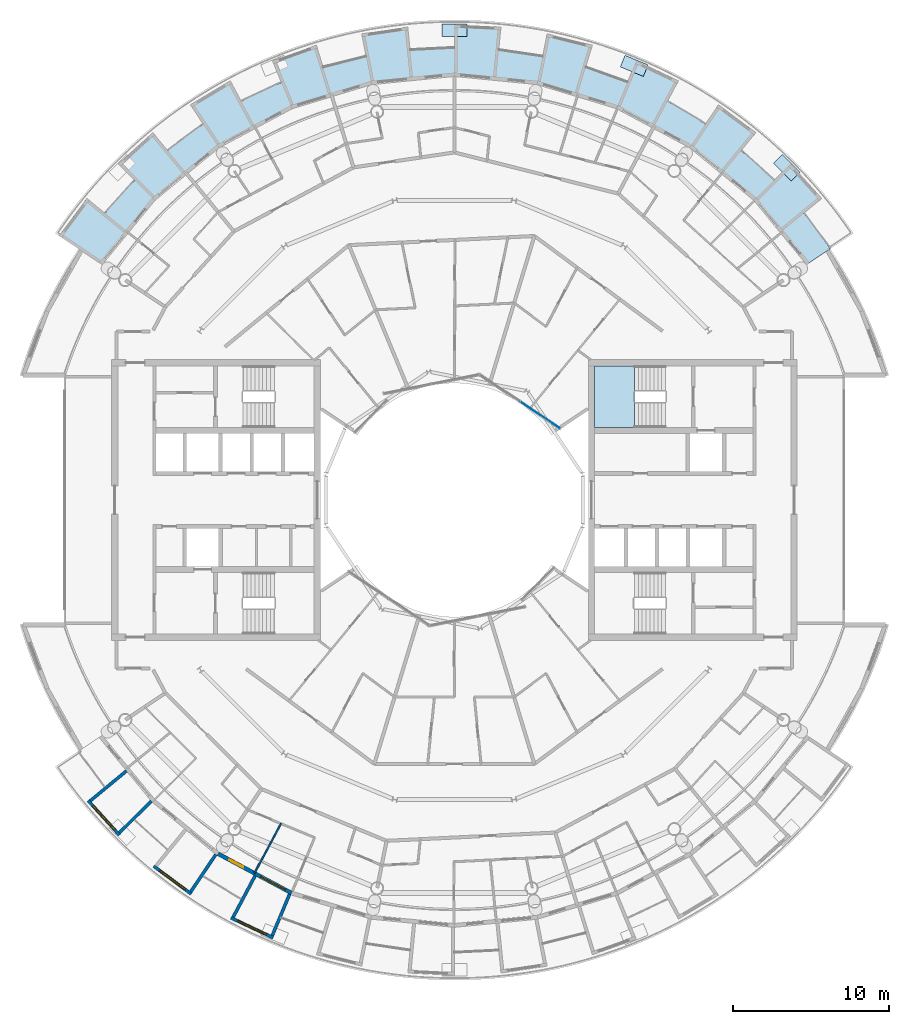
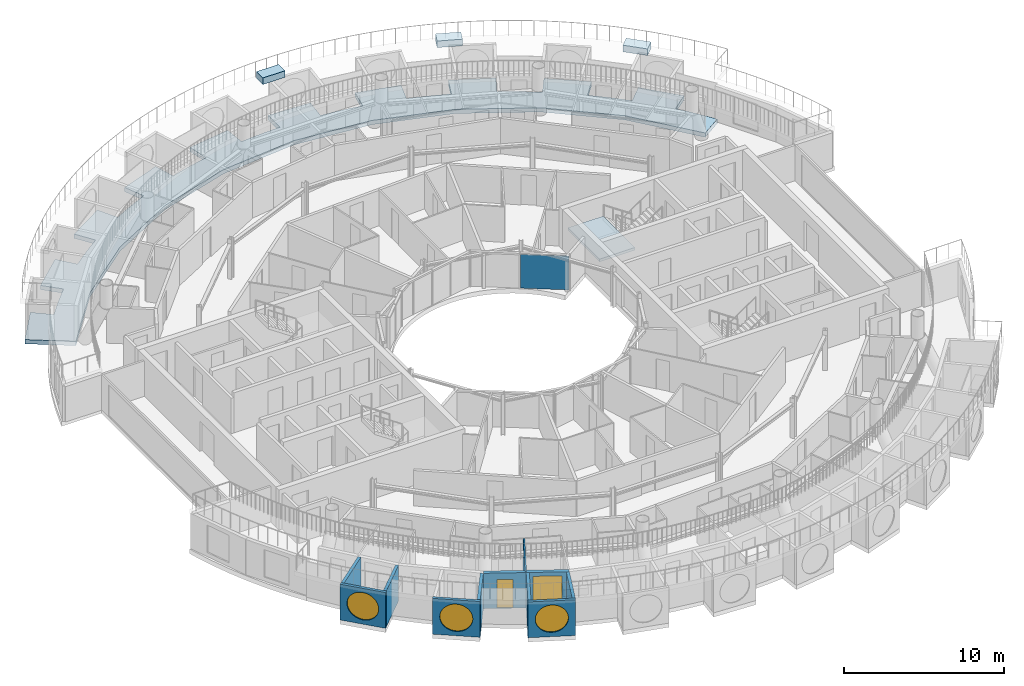
# One storey, part 13 of 29: 10 walls, 5 slabs, 4 windows, 1 door, 1 plate, 5 openings, 2 elements without a shape of their own.
"""IFC4 building model written with IfcOpenShell, lengths in metres."""

from ifc_helpers import new_model, si_unit, direction, frame, frame_2d, origin, origin_2d, place, context, subcontext, project, spatial, polyline, rectangle, circle, outline, extrude, material, layer, layer_set, type_object, element, fill, aggregate, save


model = new_model("IFC4")

# Units and contexts
model_context = context("Model", 3, precision=1e-05, world=origin(), true_north=direction((0.0, 1.0)))
body_context = subcontext(model_context, "Body", "Model", "MODEL_VIEW")
ifc_project = project(units=[si_unit("LENGTHUNIT", "METRE"), si_unit("AREAUNIT", "SQUARE_METRE"), si_unit("VOLUMEUNIT", "CUBIC_METRE"), si_unit("PLANEANGLEUNIT", "RADIAN"), si_unit("MASSUNIT", "GRAM", prefix="KILO")], contexts=[model_context])

# Site, building, storey
site_placement = place(None, origin())
site = spatial("IfcSite", under=ifc_project, at=site_placement, CompositionType="ELEMENT")
building_placement = place(site_placement, origin())
building = spatial("IfcBuilding", under=site, at=building_placement, Name="Maasbend Ring Residences", CompositionType="ELEMENT")
storey_placement = place(building_placement, frame((0.0, 0.0, 234.050048828125)))
storey = spatial("IfcBuildingStorey", under=building, at=storey_placement, Name="L67", CompositionType="ELEMENT", Elevation=234.050048828125)

# Stair, slab
ifc_material_1 = material(Name="Concrete C40/50", Category="concrete")
stair_type = type_object("IfcStairType", Name="CORE STAIR 18 RISERS", PredefinedType="HALF_TURN_STAIR", material=ifc_material_1)
stair_placement = place(storey_placement, origin())
stair = element("IfcStair", 1, at=stair_placement, inside=storey, type_object=stair_type, Name="L67 Exit stair ST-E1", PredefinedType="HALF_TURN_STAIR")
ifc_material_2 = material(Name="Concrete C40/50", Category="concrete")
ifc_layer_1 = layer(ifc_material_2, 0.199951171875)
ifc_layer_set_1 = layer_set([ifc_layer_1], Name="Concrete C40/50")
slab_type_1 = type_object("IfcSlabType", Name="CORE STAIR LANDING 200", PredefinedType="LANDING", material=ifc_layer_set_1)
slab_1_placement = place(storey_placement, frame((0.0, 0.0, 1.324951171875)))
slab_1 = element("IfcSlab", 2, at=slab_1_placement, type_object=slab_type_1, Name="ST-E1 landing 1", PredefinedType="LANDING", context=body_context, shape_type="SweptSolid", body=[
    extrude(outline(polyline([(11.550048828125, 8.60009765625), (9.0, 8.60009765625), (9.0, 4.64990234375), (11.550048828125, 4.64990234375), (11.550048828125, 8.60009765625)])), origin(), (0.0, 0.0, 1.0), 0.199951171875),
])
aggregate(stair, [slab_1])

# Curtain wall, plate
ifc_material_3 = material(Name="Aluminium and clear glass", Category="aluminium")
ifc_layer_2 = layer(ifc_material_3, 0.179931640625)
ifc_layer_set_2 = layer_set([ifc_layer_2], Name="CW-W")
curtain_wall_type = type_object("IfcCurtainWallType", Name="CW-W", PredefinedType="NOTDEFINED", material=ifc_layer_set_2)
curtain_wall_placement = place(storey_placement, origin())
curtain_wall = element("IfcCurtainWall", 3, at=curtain_wall_placement, inside=storey, type_object=curtain_wall_type, Name="Well curtain wall N1", PredefinedType="NOTDEFINED")
ifc_material_4 = material(Name="Glass clear laminated", Category="glass")
ifc_layer_3 = layer(ifc_material_4, 0.031982421875)
ifc_layer_set_3 = layer_set([ifc_layer_3], Name="CWP-W")
plate_type = type_object("IfcPlateType", Name="CWP-W", PredefinedType="CURTAIN_PANEL", material=ifc_layer_set_3)
plate_placement = place(storey_placement, frame((5.51123046875, 5.44580078125, 0.0), z_axis=(0.0, 0.0, 1.0), x_axis=(-0.831469612303, 0.55557023302, 0.0)))
plate = element("IfcPlate", 4, at=plate_placement, type_object=plate_type, Name="Glass panel well face", PredefinedType="CURTAIN_PANEL", context=body_context, shape_type="SweptSolid", body=[
    extrude(rectangle(XDim=3.053955078125, YDim=0.031982421875, at=origin_2d()), origin(), (0.0, 0.0, 1.0), 2.580078125),
])
aggregate(curtain_wall, [plate])

# Slabs
ifc_material_5 = material(Name="Lawn and planting")
ifc_layer_4 = layer(ifc_material_5, 0.5)
ifc_layer_set_4 = layer_set([ifc_layer_4], Name="PLANTER-CT")
slab_type_2 = type_object("IfcSlabType", Name="PLANTER-CT", PredefinedType="USERDEFINED", material=ifc_layer_set_4)
slab_2_placement = place(storey_placement, frame((0.0, 0.0, 3.050048828125)))
element("IfcSlab", 5, at=slab_2_placement, inside=storey, type_object=slab_type_2, Name="Terrace planter 1", ObjectType="PLANTER", PredefinedType="USERDEFINED", context=body_context, shape_type="SweptSolid", body=[
    extrude(outline(polyline([(22.16796875, 21.035888671875), (21.035888671875, 22.16796875), (20.470947265625, 21.60205078125), (21.60205078125, 20.470947265625), (22.16796875, 21.035888671875)])), origin(), (0.0, 0.0, 1.0), 0.5),
])
slab_3_placement = place(storey_placement, frame((0.0, 0.0, 3.050048828125)))
element("IfcSlab", 6, at=slab_3_placement, inside=storey, type_object=slab_type_2, Name="Terrace planter 2", ObjectType="PLANTER", PredefinedType="USERDEFINED", context=body_context, shape_type="SweptSolid", body=[
    extrude(outline(polyline([(12.429931640625, 27.91796875), (10.951904296875, 28.531005859375), (10.64599609375, 27.7919921875), (12.1240234375, 27.178955078125), (12.429931640625, 27.91796875)])), origin(), (0.0, 0.0, 1.0), 0.5),
])
slab_4_placement = place(storey_placement, frame((0.0, 0.0, 3.050048828125)))
element("IfcSlab", 7, at=slab_4_placement, inside=storey, type_object=slab_type_2, Name="Terrace planter 3", ObjectType="PLANTER", PredefinedType="USERDEFINED", context=body_context, shape_type="SweptSolid", body=[
    extrude(outline(polyline([(0.800048828125, 30.550048828125), (-0.800048828125, 30.550048828125), (-0.800048828125, 29.75), (0.800048828125, 29.75), (0.800048828125, 30.550048828125)])), origin(), (0.0, 0.0, 1.0), 0.5),
])
ifc_material_6 = material(Name="Concrete C40/50", Category="concrete")
ifc_layer_5 = layer(ifc_material_6, 0.199951171875)
ifc_layer_set_5 = layer_set([ifc_layer_5], Name="Concrete C40/50")
slab_type_3 = type_object("IfcSlabType", Name="SL-LOGGIA", PredefinedType="FLOOR", material=ifc_layer_set_5)
slab_5_placement = place(storey_placement, frame((0.0, 0.0, -0.35009765625)))
element("IfcSlab", 8, at=slab_5_placement, inside=storey, type_object=slab_type_3, Name="Loggia floor 1", PredefinedType="FLOOR", context=body_context, shape_type="SweptSolid", body=[
    extrude(outline(polyline([(-25.360107421875, 16.945068359375), (-25.360107421875, 16.945068359375), (-23.576904296875, 19.34912109375), (-23.576904296875, 19.34912109375), (-23.576904296875, 19.34912109375), (-22.41796875, 18.39794921875), (-22.41796875, 18.39794921875), (-22.41796875, 18.39794921875), (-22.41796875, 18.39794921875), (-22.41796875, 18.39794921875), (-22.4169921875, 18.39794921875), (-22.4169921875, 18.39794921875), (-22.4169921875, 18.39794921875), (-22.4169921875, 18.39794921875), (-22.4169921875, 18.39794921875), (-22.4169921875, 18.39794921875), (-22.4169921875, 18.39794921875), (-22.4169921875, 18.39794921875), (-22.4169921875, 18.39794921875), (-22.4169921875, 18.39794921875), (-22.4169921875, 18.39794921875), (-22.4169921875, 18.39794921875), (-21.802978515625, 19.12109375), (-21.802978515625, 19.12109375), (-21.166015625, 19.823974609375), (-21.166015625, 19.823974609375), (-20.506103515625, 20.506103515625), (-20.506103515625, 20.506103515625), (-20.506103515625, 20.506103515625), (-20.506103515625, 20.506103515625), (-20.506103515625, 20.506103515625), (-20.506103515625, 20.506103515625), (-20.506103515625, 20.506103515625), (-20.506103515625, 20.506103515625), (-20.506103515625, 20.506103515625), (-20.506103515625, 20.506103515625), (-20.506103515625, 20.506103515625), (-20.506103515625, 20.506103515625), (-20.506103515625, 20.506103515625), (-20.506103515625, 20.506103515625), (-20.506103515625, 20.506103515625), (-20.506103515625, 20.506103515625), (-20.506103515625, 20.506103515625), (-21.56689453125, 21.56689453125), (-21.56689453125, 21.56689453125), (-21.56689453125, 21.56689453125), (-19.34912109375, 23.576904296875), (-19.34912109375, 23.576904296875), (-19.34912109375, 23.576904296875), (-18.39794921875, 22.41796875), (-18.39794921875, 22.41796875), (-18.39794921875, 22.41796875), (-18.39794921875, 22.41796875), (-18.39794921875, 22.41796875), (-18.39794921875, 22.41796875), (-18.39697265625, 22.41796875), (-18.39697265625, 22.41796875), (-18.39697265625, 22.41796875), (-18.39697265625, 22.41796875), (-18.39697265625, 22.41796875), (-18.39697265625, 22.41796875), (-18.39697265625, 22.41796875), (-18.39697265625, 22.41796875), (-18.39697265625, 22.41796875), (-18.39697265625, 22.41796875), (-18.39697265625, 22.41796875), (-17.654052734375, 23.007080078125), (-17.654052734375, 23.007080078125), (-16.89208984375, 23.572998046875), (-16.89208984375, 23.572998046875), (-16.112060546875, 24.112060546875), (-16.112060546875, 24.112060546875), (-16.112060546875, 24.112060546875), (-16.112060546875, 24.112060546875), (-16.112060546875, 24.112060546875), (-16.112060546875, 24.113037109375), (-16.112060546875, 24.113037109375), (-16.112060546875, 24.113037109375), (-16.112060546875, 24.113037109375), (-16.112060546875, 24.113037109375), (-16.112060546875, 24.113037109375), (-16.112060546875, 24.113037109375), (-16.112060546875, 24.113037109375), (-16.112060546875, 24.113037109375), (-16.112060546875, 24.113037109375), (-16.112060546875, 24.113037109375), (-16.112060546875, 24.113037109375), (-16.945068359375, 25.360107421875), (-16.945068359375, 25.360107421875), (-16.945068359375, 25.360107421875), (-14.3779296875, 26.89892578125), (-14.3779296875, 26.89892578125), (-14.3779296875, 26.89892578125), (-13.6708984375, 25.575927734375), (-13.6708984375, 25.575927734375), (-13.6708984375, 25.575927734375), (-13.6708984375, 25.575927734375), (-13.6708984375, 25.575927734375), (-13.6708984375, 25.575927734375), (-13.6708984375, 25.575927734375), (-13.669921875, 25.575927734375), (-13.669921875, 25.575927734375), (-13.669921875, 25.575927734375), (-13.669921875, 25.575927734375), (-13.669921875, 25.575927734375), (-13.669921875, 25.575927734375), (-13.669921875, 25.575927734375), (-13.669921875, 25.575927734375), (-13.669921875, 25.575927734375), (-13.669921875, 25.575927734375), (-12.825927734375, 26.009033203125), (-12.825927734375, 26.009033203125), (-11.968994140625, 26.4150390625), (-11.968994140625, 26.4150390625), (-11.097900390625, 26.7919921875), (-11.097900390625, 26.7919921875), (-11.097900390625, 26.7919921875), (-11.097900390625, 26.7919921875), (-11.097900390625, 26.7919921875), (-11.097900390625, 26.7919921875), (-11.097900390625, 26.7919921875), (-11.097900390625, 26.79296875), (-11.097900390625, 26.79296875), (-11.097900390625, 26.79296875), (-11.097900390625, 26.79296875), (-11.097900390625, 26.79296875), (-11.097900390625, 26.79296875), (-11.097900390625, 26.79296875), (-11.097900390625, 26.79296875), (-11.097900390625, 26.79296875), (-11.097900390625, 26.79296875), (-11.672119140625, 28.177978515625), (-11.672119140625, 28.177978515625), (-11.672119140625, 28.177978515625), (-8.85400390625, 29.18701171875), (-8.85400390625, 29.18701171875), (-8.85400390625, 29.18701171875), (-8.41796875, 27.751953125), (-8.41796875, 27.751953125), (-8.41796875, 27.751953125), (-8.41796875, 27.751953125), (-8.41796875, 27.751953125), (-8.41796875, 27.751953125), (-8.41796875, 27.751953125), (-8.41796875, 27.7509765625), (-8.41796875, 27.7509765625), (-8.41796875, 27.7509765625), (-8.41796875, 27.7509765625), (-8.41796875, 27.7509765625), (-8.41796875, 27.7509765625), (-8.41796875, 27.7509765625), (-8.41796875, 27.7509765625), (-8.41796875, 27.7509765625), (-8.41796875, 27.7509765625), (-7.506103515625, 28.011962890625), (-7.506103515625, 28.011962890625), (-6.5849609375, 28.241943359375), (-6.5849609375, 28.241943359375), (-5.657958984375, 28.443115234375), (-5.657958984375, 28.443115234375), (-5.657958984375, 28.443115234375), (-5.657958984375, 28.443115234375), (-5.657958984375, 28.443115234375), (-5.657958984375, 28.443115234375), (-5.657958984375, 28.443115234375), (-5.657958984375, 28.443115234375), (-5.657958984375, 28.443115234375), (-5.657958984375, 28.443115234375), (-5.657958984375, 28.443115234375), (-5.657958984375, 28.443115234375), (-5.657958984375, 28.443115234375), (-5.657958984375, 28.443115234375), (-5.657958984375, 28.443115234375), (-5.657958984375, 28.443115234375), (-5.657958984375, 28.443115234375), (-5.949951171875, 29.9140625), (-5.949951171875, 29.9140625), (-5.949951171875, 29.9140625), (-2.989990234375, 30.35302734375), (-2.989990234375, 30.35302734375), (-2.989990234375, 30.35302734375), (-2.843017578125, 28.861083984375), (-2.843017578125, 28.861083984375), (-2.843017578125, 28.861083984375), (-2.843017578125, 28.861083984375), (-2.842041015625, 28.861083984375), (-2.842041015625, 28.861083984375), (-2.842041015625, 28.861083984375), (-2.842041015625, 28.861083984375), (-2.842041015625, 28.861083984375), (-2.842041015625, 28.860107421875), (-2.842041015625, 28.860107421875), (-2.842041015625, 28.860107421875), (-2.842041015625, 28.860107421875), (-2.842041015625, 28.860107421875), (-2.842041015625, 28.860107421875), (-2.842041015625, 28.860107421875), (-2.842041015625, 28.860107421875), (-1.89697265625, 28.93798828125), (-1.89697265625, 28.93798828125), (-0.948974609375, 28.98388671875), (-0.948974609375, 28.98388671875), (0.0, 29.0), (0.0, 29.0), (0.0, 29.0), (0.0, 29.0), (0.0, 29.0), (0.0, 29.0), (0.0, 29.0), (0.0, 29.0), (0.0, 29.0), (0.0, 29.0), (0.0, 29.0), (0.0, 29.0), (0.0, 29.0), (0.0, 29.0), (0.0, 29.0), (0.0, 29.0), (0.0, 29.0), (0.0, 30.5), (0.0, 30.5), (0.0, 30.5), (2.989990234375, 30.35302734375), (2.989990234375, 30.35302734375), (2.989990234375, 30.35302734375), (2.843017578125, 28.861083984375), (2.843017578125, 28.861083984375), (2.843017578125, 28.861083984375), (2.843017578125, 28.861083984375), (2.843017578125, 28.861083984375), (2.843017578125, 28.861083984375), (2.843017578125, 28.861083984375), (2.843017578125, 28.861083984375), (2.843017578125, 28.860107421875), (2.843017578125, 28.860107421875), (2.843017578125, 28.860107421875), (2.843017578125, 28.860107421875), (2.843017578125, 28.860107421875), (2.843017578125, 28.860107421875), (2.843017578125, 28.860107421875), (2.843017578125, 28.860107421875), (2.843017578125, 28.860107421875), (3.784912109375, 28.751953125), (3.784912109375, 28.751953125), (4.72412109375, 28.613037109375), (4.72412109375, 28.613037109375), (5.656982421875, 28.443115234375), (5.656982421875, 28.443115234375), (5.656982421875, 28.443115234375), (5.656982421875, 28.443115234375), (5.656982421875, 28.443115234375), (5.656982421875, 28.443115234375), (5.656982421875, 28.443115234375), (5.656982421875, 28.443115234375), (5.657958984375, 28.443115234375), (5.657958984375, 28.443115234375), (5.657958984375, 28.443115234375), (5.657958984375, 28.443115234375), (5.657958984375, 28.443115234375), (5.657958984375, 28.443115234375), (5.657958984375, 28.443115234375), (5.657958984375, 28.443115234375), (5.657958984375, 28.443115234375), (5.949951171875, 29.9140625), (5.949951171875, 29.9140625), (5.949951171875, 29.9140625), (8.85400390625, 29.18701171875), (8.85400390625, 29.18701171875), (8.85400390625, 29.18701171875), (8.41796875, 27.751953125), (8.41796875, 27.751953125), (8.41796875, 27.751953125), (8.41796875, 27.751953125), (8.41796875, 27.751953125), (8.41796875, 27.751953125), (8.41796875, 27.7509765625), (8.41796875, 27.7509765625), (8.41796875, 27.7509765625), (8.41796875, 27.7509765625), (8.41796875, 27.7509765625), (8.4189453125, 27.7509765625), (8.4189453125, 27.7509765625), (8.4189453125, 27.7509765625), (8.4189453125, 27.7509765625), (8.4189453125, 27.7509765625), (8.4189453125, 27.7509765625), (9.322021484375, 27.4609375), (9.322021484375, 27.4609375), (10.215087890625, 27.14111328125), (10.215087890625, 27.14111328125), (11.096923828125, 26.79296875), (11.096923828125, 26.79296875), (11.096923828125, 26.79296875), (11.097900390625, 26.79296875), (11.097900390625, 26.79296875), (11.097900390625, 26.79296875), (11.097900390625, 26.79296875), (11.097900390625, 26.79296875), (11.097900390625, 26.79296875), (11.097900390625, 26.79296875), (11.097900390625, 26.79296875), (11.097900390625, 26.79296875), (11.097900390625, 26.79296875), (11.097900390625, 26.79296875), (11.097900390625, 26.79296875), (11.097900390625, 26.79296875), (11.097900390625, 26.79296875), (11.672119140625, 28.177978515625), (11.672119140625, 28.177978515625), (11.672119140625, 28.177978515625), (14.3779296875, 26.89892578125), (14.3779296875, 26.89892578125), (14.3779296875, 26.89892578125), (13.6708984375, 25.575927734375), (13.6708984375, 25.575927734375), (13.6708984375, 25.575927734375), (13.6708984375, 25.575927734375), (13.6708984375, 25.575927734375), (13.6708984375, 25.575927734375), (13.6708984375, 25.575927734375), (13.6708984375, 25.575927734375), (13.6708984375, 25.575927734375), (13.6708984375, 25.575927734375), (13.6708984375, 25.575927734375), (13.6708984375, 25.575927734375), (13.6708984375, 25.575927734375), (13.6708984375, 25.575927734375), (13.6708984375, 25.575927734375), (13.6708984375, 25.575927734375), (13.6708984375, 25.574951171875), (14.5, 25.114990234375), (14.5, 25.114990234375), (15.31396484375, 24.626953125), (15.31396484375, 24.626953125), (16.111083984375, 24.113037109375), (16.111083984375, 24.113037109375), (16.111083984375, 24.113037109375), (16.111083984375, 24.113037109375), (16.111083984375, 24.113037109375), (16.111083984375, 24.113037109375), (16.111083984375, 24.113037109375), (16.111083984375, 24.113037109375), (16.111083984375, 24.113037109375), (16.112060546875, 24.113037109375), (16.112060546875, 24.113037109375), (16.112060546875, 24.113037109375), (16.112060546875, 24.113037109375), (16.112060546875, 24.113037109375), (16.112060546875, 24.113037109375), (16.112060546875, 24.113037109375), (16.112060546875, 24.113037109375), (16.945068359375, 25.360107421875), (16.945068359375, 25.360107421875), (16.945068359375, 25.360107421875), (19.34912109375, 23.576904296875), (19.34912109375, 23.576904296875), (19.34912109375, 23.576904296875), (18.39794921875, 22.41796875), (18.39794921875, 22.41796875), (18.39794921875, 22.41796875), (18.39794921875, 22.41796875), (18.39794921875, 22.41796875), (18.39794921875, 22.4169921875), (18.39794921875, 22.4169921875), (18.39794921875, 22.4169921875), (18.39794921875, 22.4169921875), (18.39794921875, 22.4169921875), (18.39794921875, 22.4169921875), (18.39794921875, 22.4169921875), (18.39794921875, 22.4169921875), (18.39794921875, 22.4169921875), (18.39794921875, 22.4169921875), (18.39794921875, 22.4169921875), (18.39794921875, 22.4169921875), (19.12109375, 21.802978515625), (19.12109375, 21.802978515625), (19.823974609375, 21.166015625), (19.823974609375, 21.166015625), (20.506103515625, 20.506103515625), (20.506103515625, 20.506103515625), (20.506103515625, 20.506103515625), (20.506103515625, 20.506103515625), (20.506103515625, 20.506103515625), (20.506103515625, 20.506103515625), (20.506103515625, 20.506103515625), (20.506103515625, 20.506103515625), (20.506103515625, 20.506103515625), (20.506103515625, 20.506103515625), (20.506103515625, 20.506103515625), (20.506103515625, 20.506103515625), (20.506103515625, 20.506103515625), (20.506103515625, 20.506103515625), (20.506103515625, 20.506103515625), (20.506103515625, 20.506103515625), (20.506103515625, 20.506103515625), (21.56689453125, 21.56689453125), (21.56689453125, 21.56689453125), (21.56689453125, 21.56689453125), (23.576904296875, 19.34912109375), (23.576904296875, 19.34912109375), (23.576904296875, 19.34912109375), (22.41796875, 18.39794921875), (22.41796875, 18.39794921875), (22.41796875, 18.39794921875), (22.41796875, 18.39794921875), (22.41796875, 18.39794921875), (22.41796875, 18.39794921875), (22.41796875, 18.39697265625), (22.41796875, 18.39697265625), (22.41796875, 18.39697265625), (22.41796875, 18.39697265625), (22.41796875, 18.39697265625), (22.41796875, 18.39697265625), (22.41796875, 18.39697265625), (22.41796875, 18.39697265625), (22.41796875, 18.39697265625), (22.41796875, 18.39697265625), (22.41796875, 18.39697265625), (23.007080078125, 17.654052734375), (23.007080078125, 17.654052734375), (23.572998046875, 16.89208984375), (23.572998046875, 16.89208984375), (24.113037109375, 16.112060546875), (24.113037109375, 16.112060546875), (24.113037109375, 16.112060546875), (22.698974609375, 15.1669921875), (22.698974609375, 15.1669921875), (22.698974609375, 15.1669921875), (21.001953125, 17.236083984375), (19.303955078125, 19.303955078125), (19.303955078125, 19.303955078125), (19.303955078125, 19.303955078125), (17.236083984375, 21.001953125), (15.1669921875, 22.698974609375), (15.1669921875, 22.698974609375), (15.1669921875, 22.698974609375), (12.806884765625, 23.9609375), (10.447021484375, 25.221923828125), (10.447021484375, 25.221923828125), (10.447021484375, 25.221923828125), (7.886962890625, 25.9990234375), (5.325927734375, 26.77490234375), (5.325927734375, 26.77490234375), (5.325927734375, 26.77490234375), (2.6630859375, 27.0380859375), (0.0, 27.300048828125), (0.0, 27.300048828125), (0.0, 27.300048828125), (-2.6630859375, 27.0380859375), (-5.325927734375, 26.77490234375), (-5.325927734375, 26.77490234375), (-5.325927734375, 26.77490234375), (-7.886962890625, 25.9990234375), (-10.447021484375, 25.221923828125), (-10.447021484375, 25.221923828125), (-10.447021484375, 25.221923828125), (-12.806884765625, 23.9609375), (-15.1669921875, 22.698974609375), (-15.1669921875, 22.698974609375), (-15.1669921875, 22.698974609375), (-17.236083984375, 21.001953125), (-19.303955078125, 19.303955078125), (-19.303955078125, 19.303955078125), (-19.303955078125, 19.303955078125), (-21.001953125, 17.236083984375), (-22.698974609375, 15.1669921875), (-22.698974609375, 15.1669921875), (-22.698974609375, 15.1669921875), (-25.360107421875, 16.945068359375), (-25.360107421875, 16.945068359375)])), origin(), (0.0, 0.0, 1.0), 0.320068359375),
])

# Wall, opening, window
ifc_material_7 = material(Name="Pale anodised aluminium panel", Category="aluminium")
ifc_layer_6 = layer(ifc_material_7, 0.199951171875)
ifc_layer_set_6 = layer_set([ifc_layer_6], Name="EW-BOX")
wall_type_1 = type_object("IfcWallType", Name="EW-BOX", PredefinedType="SOLIDWALL", material=ifc_layer_set_6)
wall_1_placement = place(storey_placement, frame((-23.5029296875, -19.281982421875, -0.030029296875), z_axis=(0.0, 0.0, 1.0), x_axis=(0.671506829416, -0.740998365753, 0.0)))
wall_1 = element("IfcWall", 9, at=wall_1_placement, inside=storey, type_object=wall_type_1, Name="Box front S02", PredefinedType="SOLIDWALL", context=body_context, shape_type="SweptSolid", body=[
    extrude(rectangle(XDim=2.9931640625, YDim=0.199951171875, at=frame_2d((1.49658203125, 0.0))), origin(), (0.0, 0.0, 1.0), 2.72998046875),
])
opening_1_placement = place(wall_1_placement, frame((0.45654296875, 0.0, 0.330078125)))
opening_1 = element("IfcOpeningElement", 10, at=opening_1_placement, cuts=wall_1, Name="Opening W-RD", PredefinedType="OPENING", context=body_context, shape_type="SweptSolid", body=[
    extrude(circle(Radius=1.0400390625, at=frame_2d((1.0400390625, 1.0400390625))), frame((0.0, 0.10986328125, 0.0), z_axis=(0.0, -1.0, 0.0), x_axis=(1.0, 0.0, 0.0)), (0.0, 0.0, 1.0), 0.219970703125),
])
ifc_material_8 = material(Name="Aluminium and clear glass", Category="aluminium")
window_type_1 = type_object("IfcWindowType", Name="W-RD", PartitioningType="SINGLE_PANEL", PredefinedType="WINDOW", material=ifc_material_8)
window_1_placement = place(opening_1_placement, origin())
window_1 = element("IfcWindow", 11, at=window_1_placement, inside=storey, type_object=window_type_1, Name="Round window S02", OverallHeight=2.080078125, OverallWidth=2.080078125, PartitioningType="SINGLE_PANEL", PredefinedType="WINDOW", context=body_context, shape_type="SweptSolid", body=[
    extrude(circle(Radius=1.0400390625, at=frame_2d((1.0400390625, 1.0400390625))), frame((0.0, 0.030029296875, 0.0), z_axis=(0.0, -1.0, 0.0), x_axis=(1.0, 0.0, 0.0)), (0.0, 0.0, 1.0), 0.06005859375),
])
fill(opening_1, window_1)

# Walls
wall_2_placement = place(storey_placement, frame((-21.041015625, -17.384033203125, -0.030029296875), z_axis=(0.0, 0.0, 1.0), x_axis=(-0.770784861449, -0.63709551667, 0.0)))
element("IfcWall", 12, at=wall_2_placement, inside=storey, type_object=wall_type_1, Name="Box side wall S02 left", PredefinedType="SOLIDWALL", context=body_context, shape_type="SweptSolid", body=[
    extrude(rectangle(XDim=3.005859375, YDim=0.199951171875, at=frame_2d((1.5029296875, 0.0))), origin(), (0.0, 0.0, 1.0), 2.72998046875),
])
wall_3_placement = place(storey_placement, frame((-19.449951171875, -19.322998046875, -0.030029296875), z_axis=(0.0, 0.0, 1.0), x_axis=(-0.709727076896, -0.704476739375, 0.0)))
element("IfcWall", 13, at=wall_3_placement, inside=storey, type_object=wall_type_1, Name="Box side wall S02 right", PredefinedType="SOLIDWALL", context=body_context, shape_type="SweptSolid", body=[
    extrude(rectangle(XDim=2.883056640625, YDim=0.199951171875, at=frame_2d((1.44140625, 0.0))), origin(), (0.0, 0.0, 1.0), 2.72998046875),
])

# Wall, opening, window
wall_4_placement = place(storey_placement, frame((-19.2890625, -23.49609375, -0.030029296875), z_axis=(0.0, 0.0, 1.0), x_axis=(0.803052706508, -0.595908005124, 0.0)))
wall_4 = element("IfcWall", 14, at=wall_4_placement, inside=storey, type_object=wall_type_1, Name="Box front S04", PredefinedType="SOLIDWALL", context=body_context, shape_type="SweptSolid", body=[
    extrude(rectangle(XDim=2.99365234375, YDim=0.199951171875, at=frame_2d((1.496826171875, 0.0))), origin(), (0.0, 0.0, 1.0), 2.72998046875),
])
opening_2_placement = place(wall_4_placement, frame((0.45654296875, 0.0, 0.330078125)))
opening_2 = element("IfcOpeningElement", 15, at=opening_2_placement, cuts=wall_4, Name="Opening W-RD", PredefinedType="OPENING", context=body_context, shape_type="SweptSolid", body=[
    extrude(circle(Radius=1.0400390625, at=frame_2d((1.0400390625, 1.0400390625))), frame((0.0, 0.10986328125, 0.0), z_axis=(0.0, -1.0, 0.0), x_axis=(1.0, 0.0, 0.0)), (0.0, 0.0, 1.0), 0.219970703125),
])
window_2_placement = place(opening_2_placement, origin())
window_2 = element("IfcWindow", 16, at=window_2_placement, inside=storey, type_object=window_type_1, Name="Round window S04", OverallHeight=2.080078125, OverallWidth=2.080078125, PartitioningType="SINGLE_PANEL", PredefinedType="WINDOW", context=body_context, shape_type="SweptSolid", body=[
    extrude(circle(Radius=1.0400390625, at=frame_2d((1.0400390625, 1.0400390625))), frame((0.0, 0.030029296875, 0.0), z_axis=(0.0, -1.0, 0.0), x_axis=(1.0, 0.0, 0.0)), (0.0, 0.0, 1.0), 0.06005859375),
])
fill(opening_2, window_2)

# Wall
wall_5_placement = place(storey_placement, frame((-15.306884765625, -22.74609375, -0.030029296875), z_axis=(0.0, 0.0, 1.0), x_axis=(-0.558583730979, -0.829448139117, 0.0)))
element("IfcWall", 17, at=wall_5_placement, inside=storey, type_object=wall_type_1, Name="Box side wall S04 right", PredefinedType="SOLIDWALL", context=body_context, shape_type="SweptSolid", body=[
    extrude(rectangle(XDim=2.882568359375, YDim=0.199951171875, at=frame_2d((1.44140625, 0.0))), origin(), (0.0, 0.0, 1.0), 2.72998046875),
])

# Wall, opening, window
wall_6_placement = place(storey_placement, frame((-14.3349609375, -26.80810546875, -0.030029296875), z_axis=(0.0, 0.0, 1.0), x_axis=(0.904000060331, -0.427532327342, 0.0)))
wall_6 = element("IfcWall", 18, at=wall_6_placement, inside=storey, type_object=wall_type_1, Name="Box front S06", PredefinedType="SOLIDWALL", context=body_context, shape_type="SweptSolid", body=[
    extrude(rectangle(XDim=2.993408203125, YDim=0.199951171875, at=frame_2d((1.49658203125, 0.0))), origin(), (0.0, 0.0, 1.0), 2.72998046875),
])
opening_3_placement = place(wall_6_placement, frame((0.45654296875, 0.0, 0.330078125)))
opening_3 = element("IfcOpeningElement", 19, at=opening_3_placement, cuts=wall_6, Name="Opening W-RD", PredefinedType="OPENING", context=body_context, shape_type="SweptSolid", body=[
    extrude(circle(Radius=1.0400390625, at=frame_2d((1.0400390625, 1.0400390625))), frame((0.0, 0.10986328125, 0.0), z_axis=(0.0, -1.0, 0.0), x_axis=(1.0, 0.0, 0.0)), (0.0, 0.0, 1.0), 0.219970703125),
])
window_3_placement = place(opening_3_placement, origin())
window_3 = element("IfcWindow", 20, at=window_3_placement, inside=storey, type_object=window_type_1, Name="Round window S06", OverallHeight=2.080078125, OverallWidth=2.080078125, PartitioningType="SINGLE_PANEL", PredefinedType="WINDOW", context=body_context, shape_type="SweptSolid", body=[
    extrude(circle(Radius=1.0400390625, at=frame_2d((1.0400390625, 1.0400390625))), frame((0.0, 0.030029296875, 0.0), z_axis=(0.0, -1.0, 0.0), x_axis=(1.0, 0.0, 0.0)), (0.0, 0.0, 1.0), 0.06005859375),
])
fill(opening_3, window_3)

# Walls
wall_7_placement = place(storey_placement, frame((-12.787109375, -24.113037109375, -0.030029296875), z_axis=(0.0, 0.0, 1.0), x_axis=(-0.468365282436, -0.883534924159, 0.0)))
element("IfcWall", 21, at=wall_7_placement, inside=storey, type_object=wall_type_1, Name="Box side wall S06 left", PredefinedType="SOLIDWALL", context=body_context, shape_type="SweptSolid", body=[
    extrude(rectangle(XDim=3.006103515625, YDim=0.199951171875, at=frame_2d((1.5029296875, 0.0))), origin(), (0.0, 0.0, 1.0), 2.72998046875),
])
wall_8_placement = place(storey_placement, frame((-10.574951171875, -25.294921875, -0.030029296875), z_axis=(0.0, 0.0, 1.0), x_axis=(-0.385697364644, -0.922625353492, 0.0)))
element("IfcWall", 22, at=wall_8_placement, inside=storey, type_object=wall_type_1, Name="Box side wall S06 right", PredefinedType="SOLIDWALL", context=body_context, shape_type="SweptSolid", body=[
    extrude(rectangle(XDim=2.88330078125, YDim=0.199951171875, at=frame_2d((1.441650390625, 0.0))), origin(), (0.0, 0.0, 1.0), 2.72998046875),
])

# Wall, openings, door, window
ifc_material_9 = material(Name="Aluminium clad insulated panel", Category="aluminium")
ifc_layer_7 = layer(ifc_material_9, 0.25)
ifc_layer_set_7 = layer_set([ifc_layer_7], Name="EW-GL")
wall_type_2 = type_object("IfcWallType", Name="EW-GL", PredefinedType="SOLIDWALL", material=ifc_layer_set_7)
wall_9_placement = place(storey_placement, frame((-15.1669921875, -22.698974609375, 0.0), z_axis=(0.0, 0.0, 1.0), x_axis=(0.881915646801, -0.471407246368, 0.0)))
wall_9 = element("IfcWall", 23, at=wall_9_placement, inside=storey, type_object=wall_type_2, Name="External wall S03", PredefinedType="SOLIDWALL", context=body_context, shape_type="SweptSolid", body=[
    extrude(rectangle(XDim=5.35205078125, YDim=0.25, at=frame_2d((2.676025390625, 0.0))), origin(), (0.0, 0.0, 1.0), 2.699951171875),
])
opening_4_placement = place(wall_9_placement, frame((0.841064453125, 0.0, 0.0)))
opening_4 = element("IfcOpeningElement", 24, at=opening_4_placement, cuts=wall_9, Name="Opening D-LG", PredefinedType="OPENING", context=body_context, shape_type="SweptSolid", body=[
    extrude(rectangle(XDim=1.0, YDim=2.199951171875, at=frame_2d((0.5, 1.10009765625))), frame((0.0, 0.135009765625, 0.0), z_axis=(0.0, -1.0, 0.0), x_axis=(1.0, 0.0, 0.0)), (0.0, 0.0, 1.0), 0.27001953125),
])
opening_5_placement = place(wall_9_placement, frame((3.110595703125, 0.0, 0.300048828125)))
opening_5 = element("IfcOpeningElement", 25, at=opening_5_placement, cuts=wall_9, Name="Opening W-BX", PredefinedType="OPENING", context=body_context, shape_type="SweptSolid", body=[
    extrude(rectangle(XDim=1.800048828125, YDim=2.10009765625, at=frame_2d((0.89990234375, 1.050048828125))), frame((0.0, 0.135009765625, 0.0), z_axis=(0.0, -1.0, 0.0), x_axis=(1.0, 0.0, 0.0)), (0.0, 0.0, 1.0), 0.27001953125),
])
ifc_material_10 = material(Name="Aluminium and clear glass", Category="aluminium")
door_type = type_object("IfcDoorType", Name="D-LG", OperationType="SINGLE_SWING_LEFT", PredefinedType="DOOR", material=ifc_material_10)
door_placement = place(opening_4_placement, origin())
door = element("IfcDoor", 26, at=door_placement, inside=storey, type_object=door_type, Name="Loggia door S05", OperationType="SINGLE_SWING_LEFT", OverallHeight=2.199951171875, OverallWidth=1.0, PredefinedType="DOOR", context=body_context, shape_type="SweptSolid", body=[
    extrude(rectangle(XDim=1.0, YDim=2.199951171875, at=frame_2d((0.5, 1.10009765625))), frame((0.0, 0.02490234375, 0.0), z_axis=(0.0, -1.0, 0.0), x_axis=(1.0, 0.0, 0.0)), (0.0, 0.0, 1.0), 0.050048828125),
])
fill(opening_4, door)
ifc_material_11 = material(Name="Aluminium and clear glass", Category="aluminium")
window_type_2 = type_object("IfcWindowType", Name="W-BX", PartitioningType="DOUBLE_PANEL_VERTICAL", PredefinedType="WINDOW", material=ifc_material_11)
window_4_placement = place(opening_5_placement, origin())
window_4 = element("IfcWindow", 27, at=window_4_placement, inside=storey, type_object=window_type_2, Name="Window S06 room to box", OverallHeight=2.10009765625, OverallWidth=1.800048828125, PartitioningType="SINGLE_PANEL", PredefinedType="WINDOW", context=body_context, shape_type="SweptSolid", body=[
    extrude(rectangle(XDim=1.800048828125, YDim=2.10009765625, at=frame_2d((0.89990234375, 1.050048828125))), frame((0.0, 0.030029296875, 0.0), z_axis=(0.0, -1.0, 0.0), x_axis=(1.0, 0.0, 0.0)), (0.0, 0.0, 1.0), 0.06005859375),
])
fill(opening_5, window_4)

# Wall
ifc_material_12 = material(Name="Gypsum board on steel studs", Category="steel")
ifc_layer_8 = layer(ifc_material_12, 0.10009765625)
ifc_layer_set_8 = layer_set([ifc_layer_8], Name="PARTITION 100 GYPSUM")
wall_type_3 = type_object("IfcWallType", Name="PARTITION 100 GYPSUM", PredefinedType="PARTITIONING", material=ifc_layer_set_8)
wall_10_placement = place(storey_placement, frame((-12.8330078125, -23.9541015625, 0.0), z_axis=(0.0, 0.0, 1.0), x_axis=(0.472212052488, 0.881484984265, 0.0)))
element("IfcWall", 28, at=wall_10_placement, inside=storey, type_object=wall_type_3, Name="U-L67-w048", PredefinedType="PARTITIONING", context=body_context, shape_type="SweptSolid", body=[
    extrude(rectangle(XDim=3.619140625, YDim=0.10009765625, at=frame_2d((1.8095703125, 0.0))), origin(), (0.0, 0.0, 1.0), 2.699951171875),
])

save(model, "model.ifc")
